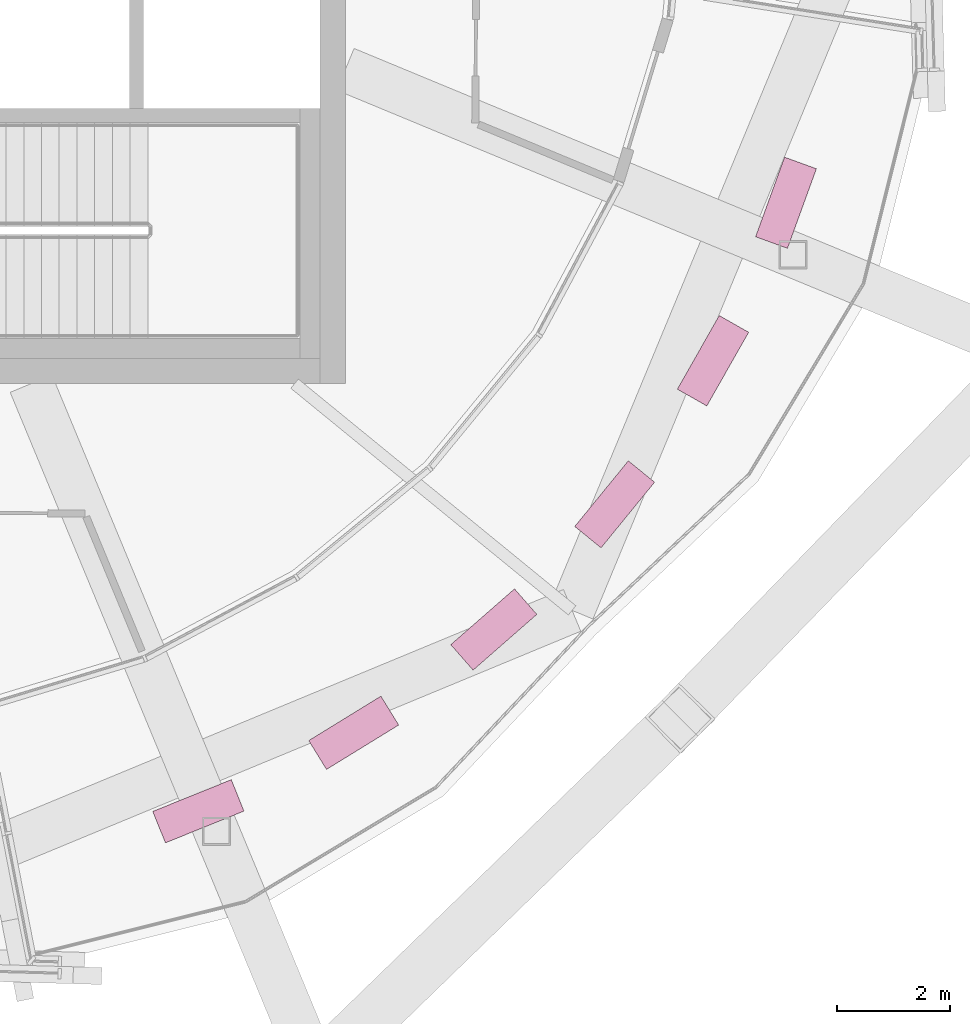
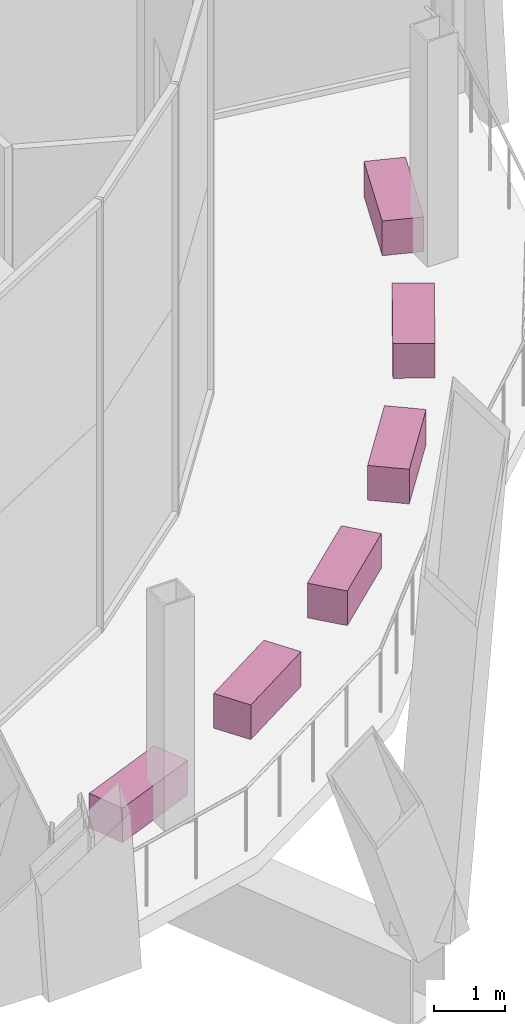
# One storey, part 53 of 53: 6 furniture elements.
"""IFC4 building model written with IfcOpenShell, lengths in metres."""

from ifc_helpers import new_model, si_unit, direction, frame, origin, origin_2d, place, context, subcontext, project, spatial, rectangle, extrude, material, type_object, element, save


model = new_model("IFC4")

# Units and contexts
model_context = context("Model", 3, precision=1e-05, world=origin(), true_north=direction((0.0, 1.0)))
body_context = subcontext(model_context, "Body", "Model", "MODEL_VIEW")
ifc_project = project(units=[si_unit("LENGTHUNIT", "METRE"), si_unit("AREAUNIT", "SQUARE_METRE"), si_unit("VOLUMEUNIT", "CUBIC_METRE"), si_unit("PLANEANGLEUNIT", "RADIAN"), si_unit("MASSUNIT", "GRAM", prefix="KILO")], contexts=[model_context])

# Site, building, storey
site_placement = place(None, origin())
site = spatial("IfcSite", under=ifc_project, at=site_placement, CompositionType="ELEMENT")
building_placement = place(site_placement, origin())
building = spatial("IfcBuilding", under=site, at=building_placement, Name="Ogive Gate Towers", CompositionType="ELEMENT")
storey_placement = place(building_placement, frame((0.0, 0.0, 240.60009765625)))
storey = spatial("IfcBuildingStorey", under=building, at=storey_placement, Name="L57", CompositionType="ELEMENT", Elevation=240.60009765625)

# Furniture
ifc_material = material(Name="Precast concrete C40/50", Category="concrete")
furniture_type = type_object("IfcFurnitureType", Name="Planter 1500 x 600", AssemblyPlace="NOTDEFINED", PredefinedType="USERDEFINED", material=ifc_material)
for number, where, z_axis, x_axis, name in (
    (1, (-29.103515625, -17.069580078125, -0.000244140625), (0.0, 0.0, 1.0), (0.927183854567, 0.374606593416, 0.0), "Planter"),
    (2, (-26.353515625, -15.680419921875, -0.000244140625), (0.0, 0.0, 1.0), (0.851726934143, 0.52398590597, 0.0), "Planter"),
    (3, (-23.87353515625, -13.85205078125, -0.000244140625), (0.0, 0.0, 1.0), (0.752414908896, 0.658689460119, 0.0), "Planter"),
    (4, (-21.7333984375, -11.6357421875, -0.000244140625), (0.0, 0.0, 1.0), (0.632029302665, 0.774944488704, 0.0), "Planter"),
    (5, (-19.99267578125, -9.093505859375, -0.000244140625), (0.0, 0.0, 1.0), (0.493941866584, 0.869494929505, 0.0), "Planter"),
    (6, (-18.7001953125, -6.296630859375, -0.000244140625), (0.0, 0.0, 1.0), (0.342020143326, 0.939692620786, 0.0), "Planter"),
):
    element("IfcFurniture", number, at=place(storey_placement, frame(where, z_axis=z_axis, x_axis=x_axis)), inside=storey, type_object=furniture_type, Name=name, ObjectType="PLANTER", PredefinedType="USERDEFINED", context=body_context, shape_type="SweptSolid", body=[
        extrude(rectangle(XDim=1.5, YDim=0.60009765625, at=origin_2d()), origin(), (0.0, 0.0, 1.0), 0.60009765625),
    ])

save(model, "model.ifc")
